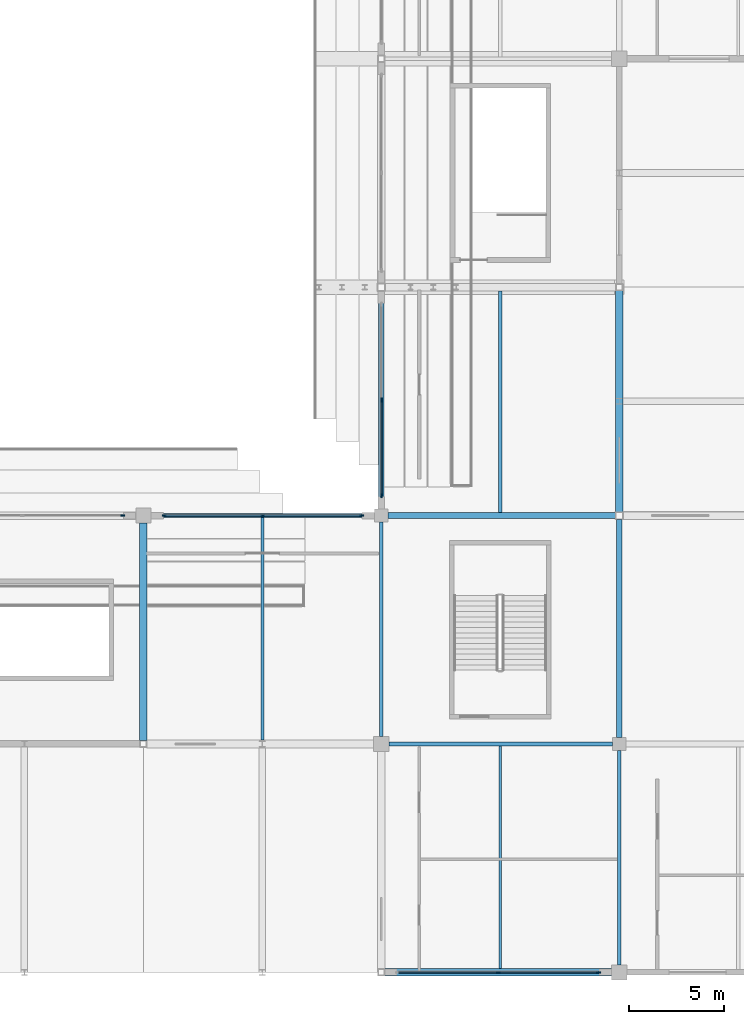
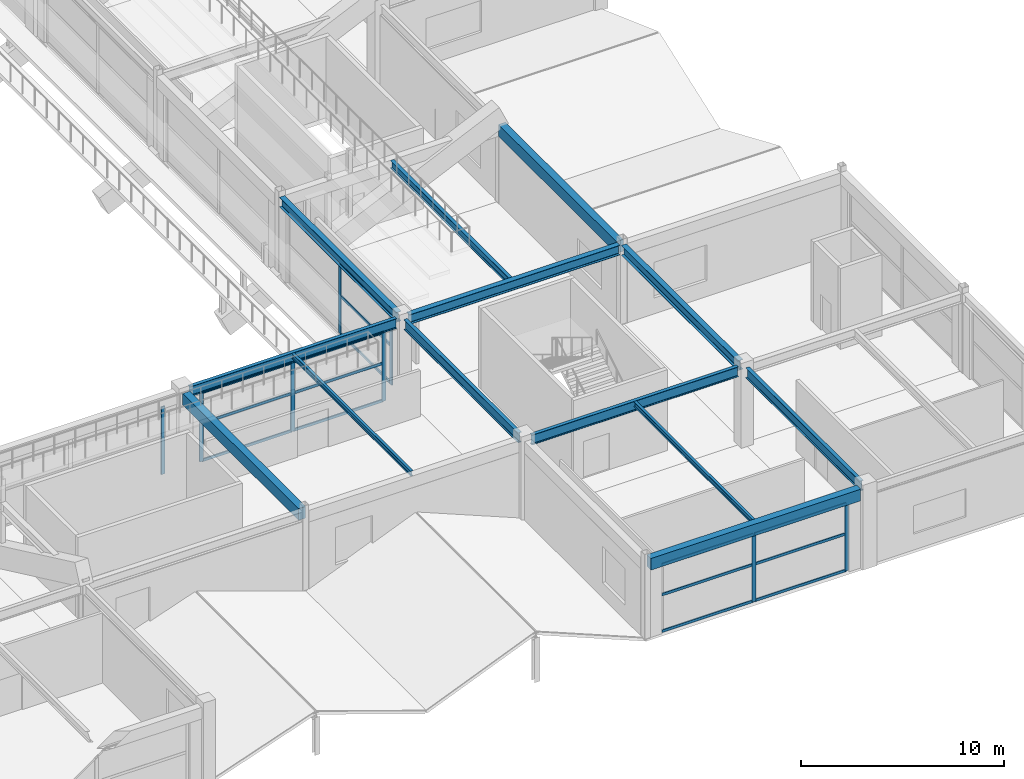
# One storey, part 49 of 128: 23 members, 13 beams, 4 elements without a shape of their own.
"""IFC4 building model written with IfcOpenShell, lengths in metres."""

from ifc_helpers import new_model, si_unit, direction, frame, origin, origin_2d, place, context, subcontext, project, spatial, rectangle, i_section, extrude, material, layer, layer_set, material_profile, profile_set, type_object, element, aggregate, save


model = new_model("IFC4")

# Units and contexts
model_context = context("Model", 3, precision=1e-05, world=origin(), true_north=direction((0.0, 1.0)))
body_context = subcontext(model_context, "Body", "Model", "MODEL_VIEW")
ifc_project = project(units=[si_unit("LENGTHUNIT", "METRE"), si_unit("AREAUNIT", "SQUARE_METRE"), si_unit("VOLUMEUNIT", "CUBIC_METRE"), si_unit("PLANEANGLEUNIT", "RADIAN"), si_unit("MASSUNIT", "GRAM", prefix="KILO")], contexts=[model_context])

# Site, building, storey
site_placement = place(None, origin())
site = spatial("IfcSite", under=ifc_project, at=site_placement, CompositionType="ELEMENT")
building_placement = place(site_placement, origin())
building = spatial("IfcBuilding", under=site, at=building_placement, Name="Kazenohara Klinker Stadium", CompositionType="ELEMENT")
storey_placement = place(building_placement, frame((0.0, 0.0, 15.300048828125)))
storey = spatial("IfcBuildingStorey", under=building, at=storey_placement, Name="L03", CompositionType="ELEMENT", Elevation=15.300048828125)

# Beams
ifc_material_1 = material(Name="Steel S355", Category="steel")
ifc_material_profile_1 = material_profile(ifc_material_1, i_section(OverallWidth=0.199951171875, OverallDepth=0.449951171875, WebThickness=0.009033203125, FlangeThickness=0.013916015625, FilletRadius=0.012939453125, at=origin_2d()), Name="H-450x200x9x14")
ifc_profile_set_1 = profile_set([ifc_material_profile_1], Name="Steel S355")
beam_type_1 = type_object("IfcBeamType", Name="BM-JST02", PredefinedType="JOIST", material=ifc_profile_set_1)
beam_1_placement = place(storey_placement, frame((181.25, 36.14990234375, 4.534912109375), z_axis=(0.0, 1.0, 0.0), x_axis=(-1.0, 0.0, 0.0)))
element("IfcBeam", 1, at=beam_1_placement, inside=storey, type_object=beam_type_1, Name="Secondary floor joist SJ02 L03 15/D", PredefinedType="JOIST", context=body_context, shape_type="SweptSolid", body=[
    extrude(i_section(OverallWidth=0.199951171875, OverallDepth=0.449951171875, WebThickness=0.009033203125, FlangeThickness=0.013916015625, FilletRadius=0.012939453125, at=origin_2d()), origin(), (0.0, 0.0, 1.0), 11.650146484375),
])
ifc_material_profile_2 = material_profile(ifc_material_1, i_section(OverallWidth=0.14990234375, OverallDepth=0.300048828125, WebThickness=0.006591796875, FlangeThickness=0.009033203125, FilletRadius=0.012939453125, at=origin_2d()), Name="H-300x150x6.5x9")
ifc_profile_set_2 = profile_set([ifc_material_profile_2], Name="Steel S355")
beam_type_2 = type_object("IfcBeamType", Name="BM-JST05", PredefinedType="JOIST", material=ifc_profile_set_2)
for number, where, z_axis, x_axis, name in (
    (2, (168.75, 24.199951171875, 4.60986328125), (0.0, 1.0, 0.0), (-1.0, 0.0, 0.0), "Secondary floor joist SJ05 L03 14/C"),
    (3, (181.25, 12.199951171875, 4.60986328125), (0.0, 1.0, 0.0), (-1.0, 0.0, 0.0), "Secondary floor joist SJ05 L03 15/B"),
):
    element("IfcBeam", number, at=place(storey_placement, frame(where, z_axis=z_axis, x_axis=x_axis)), inside=storey, type_object=beam_type_2, Name=name, PredefinedType="JOIST", context=body_context, shape_type="SweptSolid", body=[
        extrude(i_section(OverallWidth=0.14990234375, OverallDepth=0.300048828125, WebThickness=0.006591796875, FlangeThickness=0.009033203125, FilletRadius=0.012939453125, at=origin_2d()), origin(), (0.0, 0.0, 1.0), 11.699951171875),
    ])
ifc_material_2 = material(Name="Concrete C40/50", Category="concrete")
ifc_material_profile_3 = material_profile(ifc_material_2, rectangle(XDim=0.39990234375, YDim=0.699951171875, at=origin_2d()), Name="RC-BM-400x700")
ifc_profile_set_3 = profile_set([ifc_material_profile_3], Name="Concrete C40/50")
beam_type_3 = type_object("IfcBeamType", Name="BM-RC04", PredefinedType="BEAM", material=ifc_profile_set_3)
beam_2_placement = place(storey_placement, frame((175.175048828125, 12.0, 4.409912109375), z_axis=(1.0, 0.0, 0.0), x_axis=(0.0, 1.0, 0.0)))
element("IfcBeam", 4, at=beam_2_placement, inside=storey, type_object=beam_type_3, Name="Primary girder BG04 L03 15-16/B", PredefinedType="BEAM", context=body_context, shape_type="SweptSolid", body=[
    extrude(rectangle(XDim=0.39990234375, YDim=0.699951171875, at=origin_2d()), origin(), (0.0, 0.0, 1.0), 11.925048828125),
])
beam_3_placement = place(storey_placement, frame((162.5, 24.175048828125, 4.409912109375), z_axis=(0.0, 1.0, 0.0), x_axis=(-1.0, 0.0, 0.0)))
element("IfcBeam", 5, at=beam_3_placement, inside=storey, type_object=beam_type_3, Name="Primary girder BG04 L03 14/C-D", PredefinedType="BEAM", context=body_context, shape_type="SweptSolid", body=[
    extrude(rectangle(XDim=0.39990234375, YDim=0.699951171875, at=origin_2d()), origin(), (0.0, 0.0, 1.0), 11.425048828125),
])
beam_4_placement = place(storey_placement, frame((187.5, 36.199951171875, 4.409912109375), z_axis=(0.0, 1.0, 0.0), x_axis=(-1.0, 0.0, 0.0)))
element("IfcBeam", 6, at=beam_4_placement, inside=storey, type_object=beam_type_3, Name="Primary girder BG04 L03 16/D-E", PredefinedType="BEAM", context=body_context, shape_type="SweptSolid", body=[
    extrude(rectangle(XDim=0.39990234375, YDim=0.699951171875, at=origin_2d()), origin(), (0.0, 0.0, 1.0), 11.625),
])
ifc_material_profile_4 = material_profile(ifc_material_1, i_section(OverallWidth=0.199951171875, OverallDepth=0.60009765625, WebThickness=0.010986328125, FlangeThickness=0.01708984375, FilletRadius=0.012939453125, at=origin_2d()), Name="H-600x200x11x17")
ifc_profile_set_4 = profile_set([ifc_material_profile_4], Name="Steel S355")
beam_type_4 = type_object("IfcBeamType", Name="BM-ST04", PredefinedType="BEAM", material=ifc_profile_set_4)
for number, where, z_axis, x_axis, name in (
    (7, (162.89990234375, 36.0, 4.4599609375), (1.0, 0.0, 0.0), (0.0, 1.0, 0.0), "Primary girder SB04 L03 14-15/D"),
    (8, (175.39990234375, 24.0, 4.4599609375), (1.0, 0.0, 0.0), (0.0, 1.0, 0.0), "Primary girder SB04 L03 15-16/C"),
):
    element("IfcBeam", number, at=place(storey_placement, frame(where, z_axis=z_axis, x_axis=x_axis)), inside=storey, type_object=beam_type_4, Name=name, PredefinedType="BEAM", context=body_context, shape_type="SweptSolid", body=[
        extrude(i_section(OverallWidth=0.199951171875, OverallDepth=0.60009765625, WebThickness=0.010986328125, FlangeThickness=0.01708984375, FilletRadius=0.012939453125, at=origin_2d()), origin(), (0.0, 0.0, 1.0), 11.75),
    ])
for number, where, z_axis, x_axis, name in (
    (9, (175.0, 24.39990234375, 4.4599609375), (0.0, 1.0, 0.0), (-1.0, 0.0, 0.0), "Primary girder SB04 L03 15/C-D"),
    (10, (187.5, 12.39990234375, 4.4599609375), (0.0, 1.0, 0.0), (-1.0, 0.0, 0.0), "Primary girder SB04 L03 16/B-C"),
):
    element("IfcBeam", number, at=place(storey_placement, frame(where, z_axis=z_axis, x_axis=x_axis)), inside=storey, type_object=beam_type_4, Name=name, PredefinedType="BEAM", context=body_context, shape_type="SweptSolid", body=[
        extrude(i_section(OverallWidth=0.199951171875, OverallDepth=0.60009765625, WebThickness=0.010986328125, FlangeThickness=0.01708984375, FilletRadius=0.012939453125, at=origin_2d()), origin(), (0.0, 0.0, 1.0), 11.25),
    ])
ifc_material_profile_5 = material_profile(ifc_material_1, i_section(OverallWidth=0.300048828125, OverallDepth=0.587890625, WebThickness=0.011962890625, FlangeThickness=0.02001953125, FilletRadius=0.02197265625, at=origin_2d()), Name="H-588x300x12x20")
ifc_profile_set_5 = profile_set([ifc_material_profile_5], Name="Steel S355")
beam_type_5 = type_object("IfcBeamType", Name="BM-ST05", PredefinedType="BEAM", material=ifc_profile_set_5)
beam_5_placement = place(storey_placement, frame((175.35009765625, 36.0, 4.466064453125), z_axis=(1.0, 0.0, 0.0), x_axis=(0.0, 1.0, 0.0)))
element("IfcBeam", 11, at=beam_5_placement, inside=storey, type_object=beam_type_5, Name="Primary girder SB05 L03 15-16/D", PredefinedType="BEAM", context=body_context, shape_type="SweptSolid", body=[
    extrude(i_section(OverallWidth=0.300048828125, OverallDepth=0.587890625, WebThickness=0.011962890625, FlangeThickness=0.02001953125, FilletRadius=0.02197265625, at=origin_2d()), origin(), (0.0, 0.0, 1.0), 11.949951171875),
])
for number, where, z_axis, x_axis, name in (
    (12, (175.0, 36.35009765625, 4.466064453125), (0.0, 1.0, 0.0), (-1.0, 0.0, 0.0), "Primary girder SB05 L03 15/D-E"),
    (13, (187.5, 24.35009765625, 4.466064453125), (0.0, 1.0, 0.0), (-1.0, 0.0, 0.0), "Primary girder SB05 L03 16/C-D"),
):
    element("IfcBeam", number, at=place(storey_placement, frame(where, z_axis=z_axis, x_axis=x_axis)), inside=storey, type_object=beam_type_5, Name=name, PredefinedType="BEAM", context=body_context, shape_type="SweptSolid", body=[
        extrude(i_section(OverallWidth=0.300048828125, OverallDepth=0.587890625, WebThickness=0.011962890625, FlangeThickness=0.02001953125, FilletRadius=0.02197265625, at=origin_2d()), origin(), (0.0, 0.0, 1.0), 11.449951171875),
    ])

# Curtain wall, member
ifc_material_3 = material(Name="Anodised aluminium and triple glazing", Category="aluminium")
ifc_layer_1 = layer(ifc_material_3, 0.159912109375)
ifc_layer_set_1 = layer_set([ifc_layer_1], Name="Anodised aluminium and triple glazing")
curtain_wall_type_1 = type_object("IfcCurtainWallType", Name="CW-SYS-01", PredefinedType="USERDEFINED", material=ifc_layer_set_1)
curtain_wall_1_placement = place(storey_placement, origin())
curtain_wall_1 = element("IfcCurtainWall", 14, at=curtain_wall_1_placement, inside=storey, type_object=curtain_wall_type_1, Name="Unitised facade curtain wall CW01 L03 X12-3", ObjectType="UNITISED CURTAIN WALL", PredefinedType="USERDEFINED")
ifc_material_4 = material(Name="Anodised aluminium 6063-T6", Category="aluminium")
ifc_material_profile_6 = material_profile(ifc_material_4, rectangle(XDim=0.074951171875, YDim=0.219970703125, at=origin_2d()), Name="ALU-MUL-75x220")
ifc_profile_set_6 = profile_set([ifc_material_profile_6], Name="Anodised aluminium 6063-T6")
member_type_1 = type_object("IfcMemberType", Name="CW-MUL-220", PredefinedType="MULLION", material=ifc_profile_set_6)
member_1_placement = place(storey_placement, frame((161.408447265625, 36.0, 0.0), z_axis=(0.0, 0.0, 1.0), x_axis=(0.0, 1.0, 0.0)))
member_1 = element("IfcMember", 15, at=member_1_placement, type_object=member_type_1, Name="CW01 mullion 3", PredefinedType="MULLION", context=body_context, shape_type="SweptSolid", body=[
    extrude(rectangle(XDim=0.074951171875, YDim=0.219970703125, at=origin_2d()), origin(), (0.0, 0.0, 1.0), 4.06005859375),
])
aggregate(curtain_wall_1, [member_1])

# Curtain wall, members
ifc_layer_2 = layer(ifc_material_3, 0.199951171875)
ifc_layer_set_2 = layer_set([ifc_layer_2], Name="Anodised aluminium and triple glazing")
curtain_wall_type_2 = type_object("IfcCurtainWallType", Name="CW-SYS-03", PredefinedType="USERDEFINED", material=ifc_layer_set_2)
curtain_wall_2_placement = place(storey_placement, origin())
curtain_wall_2 = element("IfcCurtainWall", 16, at=curtain_wall_2_placement, inside=storey, type_object=curtain_wall_type_2, Name="Unitised facade curtain wall CW03 L03 X13-3", ObjectType="UNITISED CURTAIN WALL", PredefinedType="USERDEFINED")
member_2_placement = place(storey_placement, frame((163.591552734375, 36.0, 0.0), z_axis=(0.0, 0.0, 1.0), x_axis=(0.0, 1.0, 0.0)))
member_2 = element("IfcMember", 17, at=member_2_placement, type_object=member_type_1, Name="CW03 mullion 1", PredefinedType="MULLION", context=body_context, shape_type="SweptSolid", body=[
    extrude(rectangle(XDim=0.074951171875, YDim=0.219970703125, at=origin_2d()), origin(), (0.0, 0.0, 1.0), 4.159912109375),
])
member_3_placement = place(storey_placement, frame((168.77490234375, 36.0, 0.0), z_axis=(0.0, 0.0, 1.0), x_axis=(0.0, 1.0, 0.0)))
member_3 = element("IfcMember", 18, at=member_3_placement, type_object=member_type_1, Name="CW03 mullion 2", PredefinedType="MULLION", context=body_context, shape_type="SweptSolid", body=[
    extrude(rectangle(XDim=0.074951171875, YDim=0.219970703125, at=origin_2d()), origin(), (0.0, 0.0, 1.0), 4.159912109375),
])
member_4_placement = place(storey_placement, frame((173.95849609375, 36.0, 0.0), z_axis=(0.0, 0.0, 1.0), x_axis=(0.0, 1.0, 0.0)))
member_4 = element("IfcMember", 19, at=member_4_placement, type_object=member_type_1, Name="CW03 mullion 3", PredefinedType="MULLION", context=body_context, shape_type="SweptSolid", body=[
    extrude(rectangle(XDim=0.074951171875, YDim=0.219970703125, at=origin_2d()), origin(), (0.0, 0.0, 1.0), 4.159912109375),
])

ifc_layer_3 = layer(ifc_material_3, 0.18994140625)
ifc_layer_set_3 = layer_set([ifc_layer_3], Name="Anodised aluminium and triple glazing")
curtain_wall_type_3 = type_object("IfcCurtainWallType", Name="CW-SYS-05", PredefinedType="USERDEFINED", material=ifc_layer_set_3)
curtain_wall_3_placement = place(storey_placement, origin())
curtain_wall_3 = element("IfcCurtainWall", 20, at=curtain_wall_3_placement, inside=storey, type_object=curtain_wall_type_3, Name="Unitised facade curtain wall CW05 L03 X14-1", ObjectType="UNITISED CURTAIN WALL", PredefinedType="USERDEFINED")
member_5_placement = place(storey_placement, frame((181.137451171875, 12.0, 0.0), z_axis=(0.0, 0.0, 1.0), x_axis=(0.0, 1.0, 0.0)))
member_5 = element("IfcMember", 21, at=member_5_placement, type_object=member_type_1, Name="CW05 mullion 2", PredefinedType="MULLION", context=body_context, shape_type="SweptSolid", body=[
    extrude(rectangle(XDim=0.074951171875, YDim=0.219970703125, at=origin_2d()), origin(), (0.0, 0.0, 1.0), 4.06005859375),
])
member_6_placement = place(storey_placement, frame((186.408447265625, 12.0, 0.0), z_axis=(0.0, 0.0, 1.0), x_axis=(0.0, 1.0, 0.0)))
member_6 = element("IfcMember", 22, at=member_6_placement, type_object=member_type_1, Name="CW05 mullion 3", PredefinedType="MULLION", context=body_context, shape_type="SweptSolid", body=[
    extrude(rectangle(XDim=0.074951171875, YDim=0.219970703125, at=origin_2d()), origin(), (0.0, 0.0, 1.0), 4.06005859375),
])

curtain_wall_4_placement = place(storey_placement, origin())
curtain_wall_4 = element("IfcCurtainWall", 23, at=curtain_wall_4_placement, inside=storey, type_object=curtain_wall_type_1, Name="Unitised facade curtain wall CW01 L03 Y14-3", ObjectType="UNITISED CURTAIN WALL", PredefinedType="USERDEFINED")
member_7_placement = place(storey_placement, frame((175.0, 37.04150390625, 0.0), z_axis=(0.0, 0.0, 1.0), x_axis=(-1.0, 0.0, 0.0)))
member_7 = element("IfcMember", 24, at=member_7_placement, type_object=member_type_1, Name="CW01 mullion 1", PredefinedType="MULLION", context=body_context, shape_type="SweptSolid", body=[
    extrude(rectangle(XDim=0.074951171875, YDim=0.219970703125, at=origin_2d()), origin(), (0.0, 0.0, 1.0), 4.171875),
])
member_8_placement = place(storey_placement, frame((175.0, 42.074951171875, 0.0), z_axis=(0.0, 0.0, 1.0), x_axis=(-1.0, 0.0, 0.0)))
member_8 = element("IfcMember", 25, at=member_8_placement, type_object=member_type_1, Name="CW01 mullion 2", PredefinedType="MULLION", context=body_context, shape_type="SweptSolid", body=[
    extrude(rectangle(XDim=0.074951171875, YDim=0.219970703125, at=origin_2d()), origin(), (0.0, 0.0, 1.0), 4.171875),
])

# Member
ifc_material_profile_7 = material_profile(ifc_material_4, rectangle(XDim=0.074951171875, YDim=0.159912109375, at=origin_2d()), Name="ALU-TRN-75x160")
ifc_profile_set_7 = profile_set([ifc_material_profile_7], Name="Anodised aluminium 6063-T6")
member_type_2 = type_object("IfcMemberType", Name="CW-TRN-160", PredefinedType="USERDEFINED", material=ifc_profile_set_7)
member_9_placement = place(storey_placement, frame((163.62890625, 36.0, 0.037353515625), z_axis=(1.0, 0.0, 0.0), x_axis=(0.0, 1.0, 0.0)))
member_9 = element("IfcMember", 26, at=member_9_placement, type_object=member_type_2, Name="CW03 transom 1.1", ObjectType="TRANSOM", PredefinedType="USERDEFINED", context=body_context, shape_type="SweptSolid", body=[
    extrude(rectangle(XDim=0.074951171875, YDim=0.159912109375, at=origin_2d()), origin(), (0.0, 0.0, 1.0), 5.108642578125),
])

member_10_placement = place(storey_placement, frame((163.62890625, 36.0, 2.287841796875), z_axis=(1.0, 0.0, 0.0), x_axis=(0.0, 1.0, 0.0)))
member_10 = element("IfcMember", 27, at=member_10_placement, type_object=member_type_2, Name="CW03 transom 1.2", ObjectType="TRANSOM", PredefinedType="USERDEFINED", context=body_context, shape_type="SweptSolid", body=[
    extrude(rectangle(XDim=0.074951171875, YDim=0.159912109375, at=origin_2d()), origin(), (0.0, 0.0, 1.0), 5.108642578125),
])

member_11_placement = place(storey_placement, frame((163.62890625, 36.0, 4.12255859375), z_axis=(1.0, 0.0, 0.0), x_axis=(0.0, 1.0, 0.0)))
member_11 = element("IfcMember", 28, at=member_11_placement, type_object=member_type_2, Name="CW03 transom 1.3", ObjectType="TRANSOM", PredefinedType="USERDEFINED", context=body_context, shape_type="SweptSolid", body=[
    extrude(rectangle(XDim=0.074951171875, YDim=0.159912109375, at=origin_2d()), origin(), (0.0, 0.0, 1.0), 5.108642578125),
])

member_12_placement = place(storey_placement, frame((168.8125, 36.0, 0.037353515625), z_axis=(1.0, 0.0, 0.0), x_axis=(0.0, 1.0, 0.0)))
member_12 = element("IfcMember", 29, at=member_12_placement, type_object=member_type_2, Name="CW03 transom 2.1", ObjectType="TRANSOM", PredefinedType="USERDEFINED", context=body_context, shape_type="SweptSolid", body=[
    extrude(rectangle(XDim=0.074951171875, YDim=0.159912109375, at=origin_2d()), origin(), (0.0, 0.0, 1.0), 5.1083984375),
])

member_13_placement = place(storey_placement, frame((168.8125, 36.0, 2.287841796875), z_axis=(1.0, 0.0, 0.0), x_axis=(0.0, 1.0, 0.0)))
member_13 = element("IfcMember", 30, at=member_13_placement, type_object=member_type_2, Name="CW03 transom 2.2", ObjectType="TRANSOM", PredefinedType="USERDEFINED", context=body_context, shape_type="SweptSolid", body=[
    extrude(rectangle(XDim=0.074951171875, YDim=0.159912109375, at=origin_2d()), origin(), (0.0, 0.0, 1.0), 5.1083984375),
])

member_14_placement = place(storey_placement, frame((168.8125, 36.0, 4.12255859375), z_axis=(1.0, 0.0, 0.0), x_axis=(0.0, 1.0, 0.0)))
member_14 = element("IfcMember", 31, at=member_14_placement, type_object=member_type_2, Name="CW03 transom 2.3", ObjectType="TRANSOM", PredefinedType="USERDEFINED", context=body_context, shape_type="SweptSolid", body=[
    extrude(rectangle(XDim=0.074951171875, YDim=0.159912109375, at=origin_2d()), origin(), (0.0, 0.0, 1.0), 5.1083984375),
])

aggregate(curtain_wall_2, [member_2, member_3, member_4, member_9, member_10, member_11, member_12, member_13, member_14])

member_15_placement = place(storey_placement, frame((175.904052734375, 12.0, 0.037353515625), z_axis=(1.0, 0.0, 0.0), x_axis=(0.0, 1.0, 0.0)))
member_15 = element("IfcMember", 32, at=member_15_placement, type_object=member_type_2, Name="CW05 transom 1.1", ObjectType="TRANSOM", PredefinedType="USERDEFINED", context=body_context, shape_type="SweptSolid", body=[
    extrude(rectangle(XDim=0.074951171875, YDim=0.159912109375, at=origin_2d()), origin(), (0.0, 0.0, 1.0), 5.196044921875),
])

member_16_placement = place(storey_placement, frame((175.904052734375, 12.0, 2.23291015625), z_axis=(1.0, 0.0, 0.0), x_axis=(0.0, 1.0, 0.0)))
member_16 = element("IfcMember", 33, at=member_16_placement, type_object=member_type_2, Name="CW05 transom 1.2", ObjectType="TRANSOM", PredefinedType="USERDEFINED", context=body_context, shape_type="SweptSolid", body=[
    extrude(rectangle(XDim=0.074951171875, YDim=0.159912109375, at=origin_2d()), origin(), (0.0, 0.0, 1.0), 5.196044921875),
])

member_17_placement = place(storey_placement, frame((175.904052734375, 12.0, 4.0224609375), z_axis=(1.0, 0.0, 0.0), x_axis=(0.0, 1.0, 0.0)))
member_17 = element("IfcMember", 34, at=member_17_placement, type_object=member_type_2, Name="CW05 transom 1.3", ObjectType="TRANSOM", PredefinedType="USERDEFINED", context=body_context, shape_type="SweptSolid", body=[
    extrude(rectangle(XDim=0.074951171875, YDim=0.159912109375, at=origin_2d()), origin(), (0.0, 0.0, 1.0), 5.196044921875),
])

member_18_placement = place(storey_placement, frame((181.175048828125, 12.0, 0.037353515625), z_axis=(1.0, 0.0, 0.0), x_axis=(0.0, 1.0, 0.0)))
member_18 = element("IfcMember", 35, at=member_18_placement, type_object=member_type_2, Name="CW05 transom 2.1", ObjectType="TRANSOM", PredefinedType="USERDEFINED", context=body_context, shape_type="SweptSolid", body=[
    extrude(rectangle(XDim=0.074951171875, YDim=0.159912109375, at=origin_2d()), origin(), (0.0, 0.0, 1.0), 5.196044921875),
])

member_19_placement = place(storey_placement, frame((181.175048828125, 12.0, 2.23291015625), z_axis=(1.0, 0.0, 0.0), x_axis=(0.0, 1.0, 0.0)))
member_19 = element("IfcMember", 36, at=member_19_placement, type_object=member_type_2, Name="CW05 transom 2.2", ObjectType="TRANSOM", PredefinedType="USERDEFINED", context=body_context, shape_type="SweptSolid", body=[
    extrude(rectangle(XDim=0.074951171875, YDim=0.159912109375, at=origin_2d()), origin(), (0.0, 0.0, 1.0), 5.196044921875),
])

member_20_placement = place(storey_placement, frame((181.175048828125, 12.0, 4.0224609375), z_axis=(1.0, 0.0, 0.0), x_axis=(0.0, 1.0, 0.0)))
member_20 = element("IfcMember", 37, at=member_20_placement, type_object=member_type_2, Name="CW05 transom 2.3", ObjectType="TRANSOM", PredefinedType="USERDEFINED", context=body_context, shape_type="SweptSolid", body=[
    extrude(rectangle(XDim=0.074951171875, YDim=0.159912109375, at=origin_2d()), origin(), (0.0, 0.0, 1.0), 5.196044921875),
])

aggregate(curtain_wall_3, [member_5, member_6, member_15, member_16, member_17, member_18, member_19, member_20])

member_21_placement = place(storey_placement, frame((175.0, 37.0791015625, 0.037353515625), z_axis=(0.0, 1.0, 0.0), x_axis=(-1.0, 0.0, 0.0)))
member_21 = element("IfcMember", 38, at=member_21_placement, type_object=member_type_2, Name="CW01 transom 1.1", ObjectType="TRANSOM", PredefinedType="USERDEFINED", context=body_context, shape_type="SweptSolid", body=[
    extrude(rectangle(XDim=0.074951171875, YDim=0.159912109375, at=origin_2d()), origin(), (0.0, 0.0, 1.0), 4.95849609375),
])

member_22_placement = place(storey_placement, frame((175.0, 37.0791015625, 2.29443359375), z_axis=(0.0, 1.0, 0.0), x_axis=(-1.0, 0.0, 0.0)))
member_22 = element("IfcMember", 39, at=member_22_placement, type_object=member_type_2, Name="CW01 transom 1.2", ObjectType="TRANSOM", PredefinedType="USERDEFINED", context=body_context, shape_type="SweptSolid", body=[
    extrude(rectangle(XDim=0.074951171875, YDim=0.159912109375, at=origin_2d()), origin(), (0.0, 0.0, 1.0), 4.95849609375),
])

member_23_placement = place(storey_placement, frame((175.0, 37.0791015625, 4.134521484375), z_axis=(0.0, 1.0, 0.0), x_axis=(-1.0, 0.0, 0.0)))
member_23 = element("IfcMember", 40, at=member_23_placement, type_object=member_type_2, Name="CW01 transom 1.3", ObjectType="TRANSOM", PredefinedType="USERDEFINED", context=body_context, shape_type="SweptSolid", body=[
    extrude(rectangle(XDim=0.074951171875, YDim=0.159912109375, at=origin_2d()), origin(), (0.0, 0.0, 1.0), 4.95849609375),
])

aggregate(curtain_wall_4, [member_7, member_8, member_21, member_22, member_23])

save(model, "model.ifc")
